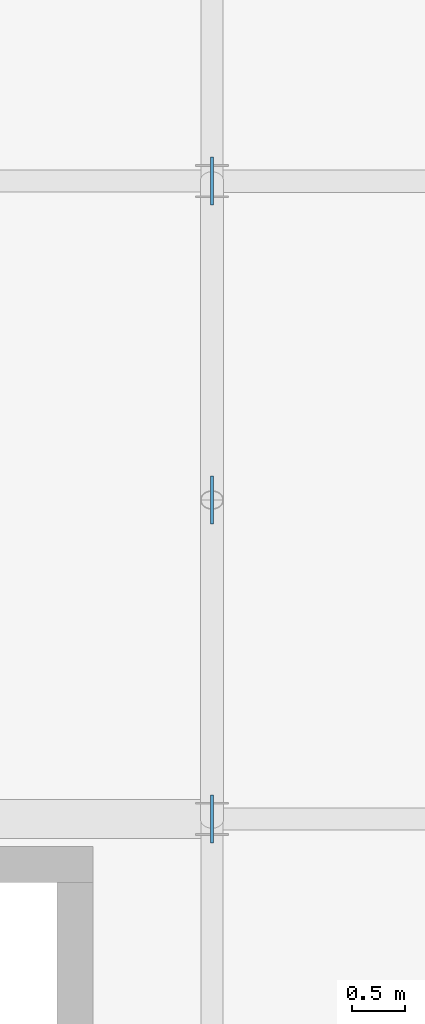
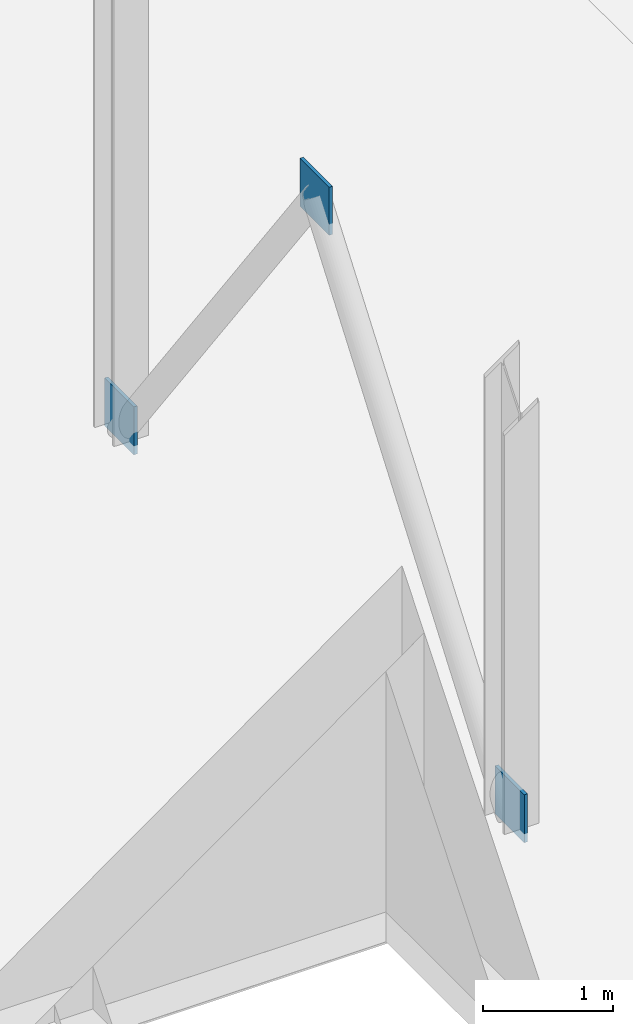
# One storey, part 95 of 114: 3 plates.
"""IFC4 building model written with IfcOpenShell, lengths in metres."""

from ifc_helpers import new_model, si_unit, direction, frame, origin, origin_2d, place, context, subcontext, project, spatial, rectangle, extrude, material, layer, layer_set, type_object, element, save


model = new_model("IFC4")

# Units and contexts
model_context = context("Model", 3, precision=1e-05, world=origin(), true_north=direction((0.0, 1.0)))
body_context = subcontext(model_context, "Body", "Model", "MODEL_VIEW")
ifc_project = project(units=[si_unit("LENGTHUNIT", "METRE"), si_unit("AREAUNIT", "SQUARE_METRE"), si_unit("VOLUMEUNIT", "CUBIC_METRE"), si_unit("PLANEANGLEUNIT", "RADIAN"), si_unit("MASSUNIT", "GRAM", prefix="KILO")], contexts=[model_context])

# Site, building, storey
site_placement = place(None, origin())
site = spatial("IfcSite", under=ifc_project, at=site_placement, CompositionType="ELEMENT")
building_placement = place(site_placement, origin())
building = spatial("IfcBuilding", under=site, at=building_placement, Name="Verrall Gate Interchange", CompositionType="ELEMENT")
storey_placement = place(building_placement, frame((0.0, 0.0, 6.60009765625)))
storey = spatial("IfcBuildingStorey", under=building, at=storey_placement, Name="L02", CompositionType="ELEMENT", Elevation=6.60009765625)

# Plates
ifc_material = material(Name="Structural Steel CSA G40.21 350WT Cat 4", Category="steel")
ifc_layer = layer(ifc_material, 0.030029296875)
ifc_layer_set = layer_set([ifc_layer], Name="Structural Steel CSA G40.21 350WT Cat 4")
plate_type = type_object("IfcPlateType", Name="GP-02 Gusset Plate 30", PredefinedType="SHEET", material=ifc_layer_set)
for number, where, z_axis, x_axis, name in (
    (1, (144.0, 22.0, -0.0849609375), (0.0, 0.0, 1.0), (1.0, 0.0, 0.0), "Chevron Brace Gusset Node CBF6-L02-BA"),
    (2, (144.0, 28.0, -0.0849609375), (0.0, 0.0, 1.0), (1.0, 0.0, 0.0), "Chevron Brace Gusset Node CBF6-L02-BB"),
    (3, (144.0, 25.0, 3.794921875), (0.0, 0.0, 1.0), (1.0, 0.0, 0.0), "Chevron Brace Gusset Node CBF6-L02-AP"),
):
    element("IfcPlate", number, at=place(storey_placement, frame(where, z_axis=z_axis, x_axis=x_axis)), inside=storey, type_object=plate_type, Name=name, PredefinedType="SHEET", context=body_context, shape_type="SweptSolid", body=[
        extrude(rectangle(XDim=0.030029296875, YDim=0.449951171875, at=origin_2d()), origin(), (0.0, 0.0, 1.0), 0.449951171875),
    ])

save(model, "model.ifc")
